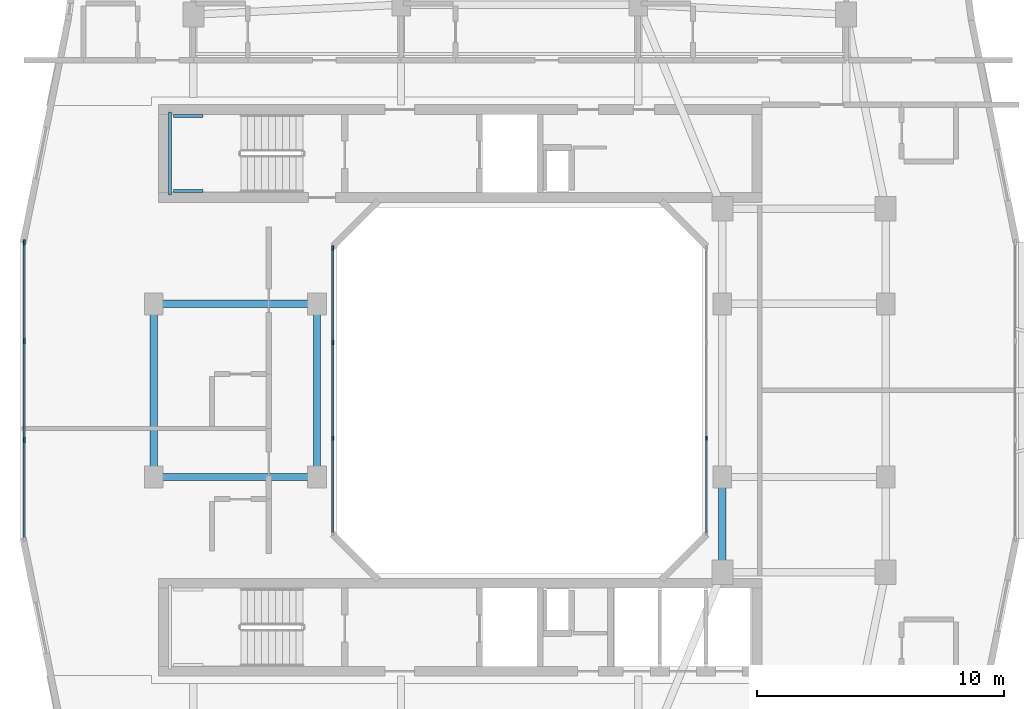
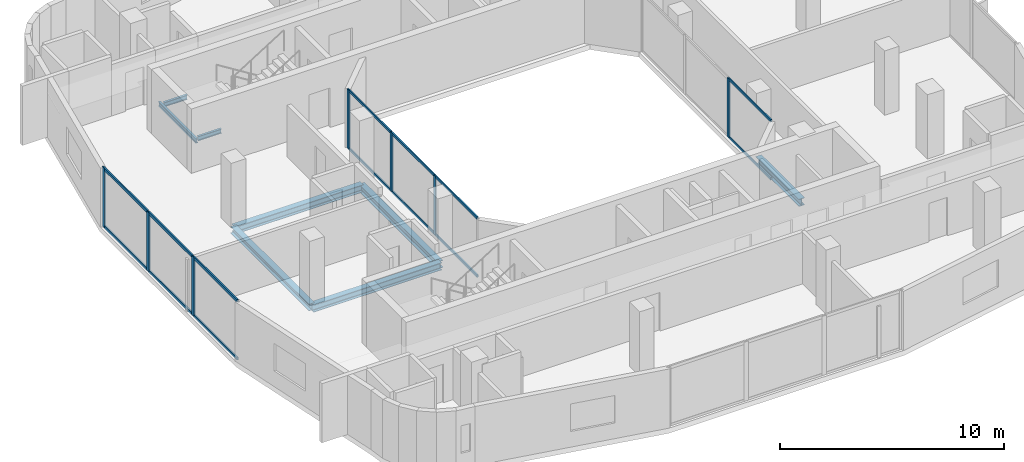
# One storey, part 3 of 14: 21 members, 8 beams, 3 elements without a shape of their own.
"""IFC4 building model written with IfcOpenShell, lengths in metres."""

from ifc_helpers import new_model, si_unit, derived_unit, direction, frame, origin, origin_2d, place, context, subcontext, project, spatial, rectangle, i_section, extrude, material, layer, layer_set, material_profile, profile_set, type_object, element, aggregate, save


model = new_model("IFC4")

# Units and contexts
model_context = context("Model", 3, precision=1e-05, world=origin(), true_north=direction((0.0, 1.0)))
body_context = subcontext(model_context, "Body", "Model", "MODEL_VIEW")
ifc_project = project(units=[si_unit("LENGTHUNIT", "METRE"), si_unit("AREAUNIT", "SQUARE_METRE"), si_unit("VOLUMEUNIT", "CUBIC_METRE"), si_unit("PLANEANGLEUNIT", "RADIAN"), si_unit("MASSUNIT", "GRAM", prefix="KILO"), derived_unit("THERMALTRANSMITTANCEUNIT", [(si_unit("POWERUNIT", "WATT"), 1), (si_unit("LENGTHUNIT", "METRE"), -2), (si_unit("THERMODYNAMICTEMPERATUREUNIT", "KELVIN"), -1)])], contexts=[model_context])

# Site, building, storey
site_placement = place(None, origin())
site = spatial("IfcSite", under=ifc_project, at=site_placement, CompositionType="ELEMENT")
building_placement = place(site_placement, origin())
building = spatial("IfcBuilding", under=site, at=building_placement, Name="Kivonza Crest Hotel", CompositionType="ELEMENT")
storey_placement = place(building_placement, frame((0.0, 0.0, 152.0)))
storey = spatial("IfcBuildingStorey", under=building, at=storey_placement, Name="L41", CompositionType="ELEMENT", Elevation=152.0)

# Beams
ifc_material_1 = material(Name="Steel S355", Category="steel")
ifc_material_profile_1 = material_profile(ifc_material_1, i_section(OverallWidth=0.300048828125, OverallDepth=0.360107421875, WebThickness=0.012451171875, FlangeThickness=0.0224609375, FilletRadius=0.027099609375, at=origin_2d()), Name="HEB 360")
ifc_profile_set_1 = profile_set([ifc_material_profile_1], Name="Steel S355")
beam_type_1 = type_object("IfcBeamType", Name="BM-HEB360", PredefinedType="SPANDREL", material=ifc_profile_set_1)
beam_1_placement = place(storey_placement, frame((6.199951171875, 28.5, -0.4599609375), z_axis=(0.0, -1.0, 0.0), x_axis=(1.0, 0.0, 0.0)))
element("IfcBeam", 1, at=beam_1_placement, inside=storey, type_object=beam_type_1, Name="Tower T1 L41 perimeter spandrel W2-W1", PredefinedType="SPANDREL", context=body_context, shape_type="SweptSolid", body=[
    extrude(i_section(OverallWidth=0.300048828125, OverallDepth=0.360107421875, WebThickness=0.012451171875, FlangeThickness=0.0224609375, FilletRadius=0.027099609375, at=origin_2d()), origin(), (0.0, 0.0, 1.0), 7.0),
])
ifc_material_profile_2 = material_profile(ifc_material_1, i_section(OverallWidth=0.300048828125, OverallDepth=0.39990234375, WebThickness=0.013427734375, FlangeThickness=0.02392578125, FilletRadius=0.027099609375, at=origin_2d()), Name="HEB 400")
ifc_profile_set_2 = profile_set([ifc_material_profile_2], Name="Steel S355")
beam_type_2 = type_object("IfcBeamType", Name="BM-HEB400", PredefinedType="BEAM", material=ifc_profile_set_2)
for number, where, z_axis, x_axis, name in (
    (2, (6.199951171875, 21.5, -0.47998046875), (1.0, 0.0, 0.0), (0.0, 1.0, 0.0), "Tower T1 L41 primary girder W1-WL1"),
    (3, (6.199951171875, 28.5, -0.47998046875), (1.0, 0.0, 0.0), (0.0, 1.0, 0.0), "Tower T1 L41 primary girder W2-WL2"),
):
    element("IfcBeam", number, at=place(storey_placement, frame(where, z_axis=z_axis, x_axis=x_axis)), inside=storey, type_object=beam_type_2, Name=name, PredefinedType="BEAM", context=body_context, shape_type="SweptSolid", body=[
        extrude(i_section(OverallWidth=0.300048828125, OverallDepth=0.39990234375, WebThickness=0.013427734375, FlangeThickness=0.02392578125, FilletRadius=0.027099609375, at=origin_2d()), origin(), (0.0, 0.0, 1.0), 6.60009765625),
    ])
beam_2_placement = place(storey_placement, frame((12.800048828125, 21.5, -0.47998046875), z_axis=(0.0, 1.0, 0.0), x_axis=(-1.0, 0.0, 0.0)))
element("IfcBeam", 4, at=beam_2_placement, inside=storey, type_object=beam_type_2, Name="Tower T1 L41 primary girder WL1-WL2", PredefinedType="BEAM", context=body_context, shape_type="SweptSolid", body=[
    extrude(i_section(OverallWidth=0.300048828125, OverallDepth=0.39990234375, WebThickness=0.013427734375, FlangeThickness=0.02392578125, FilletRadius=0.027099609375, at=origin_2d()), origin(), (0.0, 0.0, 1.0), 7.0),
])
beam_3_placement = place(storey_placement, frame((29.199951171875, 17.64990234375, -0.47998046875), z_axis=(0.0, 1.0, 0.0), x_axis=(-1.0, 0.0, 0.0)))
element("IfcBeam", 5, at=beam_3_placement, inside=storey, type_object=beam_type_2, Name="Tower T1 L41 primary girder TSE-WR1", PredefinedType="BEAM", context=body_context, shape_type="SweptSolid", body=[
    extrude(i_section(OverallWidth=0.300048828125, OverallDepth=0.39990234375, WebThickness=0.013427734375, FlangeThickness=0.02392578125, FilletRadius=0.027099609375, at=origin_2d()), origin(), (0.0, 0.0, 1.0), 3.85009765625),
])
ifc_material_profile_3 = material_profile(ifc_material_1, i_section(OverallWidth=0.1201171875, OverallDepth=0.239990234375, WebThickness=0.006103515625, FlangeThickness=0.009765625, FilletRadius=0.014892578125, at=origin_2d()), Name="IPE 240")
ifc_profile_set_3 = profile_set([ifc_material_profile_3], Name="Steel S355")
beam_type_3 = type_object("IfcBeamType", Name="BM-LLDG-240", PredefinedType="BEAM", material=ifc_profile_set_3)
beam_4_placement = place(storey_placement, frame((6.860107421875, 32.89990234375, 1.429931640625), z_axis=(0.0, 1.0, 0.0), x_axis=(-1.0, 0.0, 0.0)))
element("IfcBeam", 6, at=beam_4_placement, inside=storey, type_object=beam_type_3, Name="Stair ST-T1-N L41 West landing corbel", PredefinedType="BEAM", context=body_context, shape_type="SweptSolid", body=[
    extrude(i_section(OverallWidth=0.1201171875, OverallDepth=0.239990234375, WebThickness=0.006103515625, FlangeThickness=0.009765625, FilletRadius=0.014892578125, at=origin_2d()), origin(), (0.0, 0.0, 1.0), 3.360107421875),
])
for number, where, z_axis, x_axis, name in (
    (7, (6.989990234375, 33.06005859375, 1.429931640625), (1.0, 0.0, 0.0), (0.0, 1.0, 0.0), "Stair ST-T1-N L41 South landing corbel"),
    (8, (6.989990234375, 36.10009765625, 1.429931640625), (1.0, 0.0, 0.0), (0.0, 1.0, 0.0), "Stair ST-T1-N L41 North landing corbel"),
):
    element("IfcBeam", number, at=place(storey_placement, frame(where, z_axis=z_axis, x_axis=x_axis)), inside=storey, type_object=beam_type_3, Name=name, PredefinedType="BEAM", context=body_context, shape_type="SweptSolid", body=[
        extrude(i_section(OverallWidth=0.1201171875, OverallDepth=0.239990234375, WebThickness=0.006103515625, FlangeThickness=0.009765625, FilletRadius=0.014892578125, at=origin_2d()), origin(), (0.0, 0.0, 1.0), 1.2099609375),
    ])

# Curtain wall, member
ifc_material_2 = material(Name="Anodised bronze aluminium and low-E double glazing", Category="aluminium")
ifc_layer_1 = layer(ifc_material_2, 0.159912109375)
ifc_layer_set_1 = layer_set([ifc_layer_1], Name="Anodised bronze aluminium and low-E double glazing")
curtain_wall_type_1 = type_object("IfcCurtainWallType", Name="CW-SYS-5", PredefinedType="NOTDEFINED", material=ifc_layer_set_1)
curtain_wall_1_placement = place(storey_placement, origin())
curtain_wall_1 = element("IfcCurtainWall", 9, at=curtain_wall_1_placement, inside=storey, type_object=curtain_wall_type_1, Name="L41 unitised curtain wall CW-WELL-T1-L41-3", PredefinedType="NOTDEFINED")
ifc_material_3 = material(Name="Anodised bronze aluminium", Category="aluminium")
ifc_material_profile_4 = material_profile(ifc_material_3, rectangle(XDim=0.06494140625, YDim=0.179931640625, at=origin_2d()), Name="CW-M 65x180")
ifc_profile_set_4 = profile_set([ifc_material_profile_4], Name="Anodised bronze aluminium")
member_type_1 = type_object("IfcMemberType", Name="CW-MUL-65x180", PredefinedType="MULLION", material=ifc_profile_set_4)
member_1_placement = place(storey_placement, frame((28.56005859375, 23.066650390625, 0.0), z_axis=(0.0, 0.0, 1.0), x_axis=(-1.0, 0.0, 0.0)))
member_1 = element("IfcMember", 10, at=member_1_placement, type_object=member_type_1, Name="CW-5 mullion 2", PredefinedType="MULLION", context=body_context, shape_type="SweptSolid", body=[
    extrude(rectangle(XDim=0.06494140625, YDim=0.179931640625, at=origin_2d()), origin(), (0.0, 0.0, 1.0), 3.219970703125),
])

# Curtain wall, members
curtain_wall_2_placement = place(storey_placement, origin())
curtain_wall_2 = element("IfcCurtainWall", 11, at=curtain_wall_2_placement, inside=storey, type_object=curtain_wall_type_1, Name="L41 unitised curtain wall CW-WELL-T1-L41-7", PredefinedType="NOTDEFINED")
member_2_placement = place(storey_placement, frame((13.43994140625, 30.767578125, 0.0), z_axis=(0.0, 0.0, 1.0), x_axis=(1.0, 0.0, 0.0)))
member_2 = element("IfcMember", 12, at=member_2_placement, type_object=member_type_1, Name="CW-5 mullion 1", PredefinedType="MULLION", context=body_context, shape_type="SweptSolid", body=[
    extrude(rectangle(XDim=0.06494140625, YDim=0.179931640625, at=origin_2d()), origin(), (0.0, 0.0, 1.0), 3.219970703125),
])
member_3_placement = place(storey_placement, frame((13.43994140625, 26.933349609375, 0.0), z_axis=(0.0, 0.0, 1.0), x_axis=(1.0, 0.0, 0.0)))
member_3 = element("IfcMember", 13, at=member_3_placement, type_object=member_type_1, Name="CW-5 mullion 2", PredefinedType="MULLION", context=body_context, shape_type="SweptSolid", body=[
    extrude(rectangle(XDim=0.06494140625, YDim=0.179931640625, at=origin_2d()), origin(), (0.0, 0.0, 1.0), 3.219970703125),
])
member_4_placement = place(storey_placement, frame((13.43994140625, 23.066650390625, 0.0), z_axis=(0.0, 0.0, 1.0), x_axis=(1.0, 0.0, 0.0)))
member_4 = element("IfcMember", 14, at=member_4_placement, type_object=member_type_1, Name="CW-5 mullion 3", PredefinedType="MULLION", context=body_context, shape_type="SweptSolid", body=[
    extrude(rectangle(XDim=0.06494140625, YDim=0.179931640625, at=origin_2d()), origin(), (0.0, 0.0, 1.0), 3.219970703125),
])

ifc_layer_2 = layer(ifc_material_2, 0.179931640625)
ifc_layer_set_2 = layer_set([ifc_layer_2], Name="Anodised bronze aluminium and low-E double glazing")
curtain_wall_type_2 = type_object("IfcCurtainWallType", Name="CW-SYS-3", PredefinedType="NOTDEFINED", material=ifc_layer_set_2)
curtain_wall_3_placement = place(storey_placement, origin())
curtain_wall_3 = element("IfcCurtainWall", 15, at=curtain_wall_3_placement, inside=storey, type_object=curtain_wall_type_2, Name="L41 unitised curtain wall CW-T1-L41-35", PredefinedType="NOTDEFINED")
ifc_material_profile_5 = material_profile(ifc_material_3, rectangle(XDim=0.074951171875, YDim=0.219970703125, at=origin_2d()), Name="CW-M 75x220")
ifc_profile_set_5 = profile_set([ifc_material_profile_5], Name="Anodised bronze aluminium")
member_type_2 = type_object("IfcMemberType", Name="CW-MUL-75x220", PredefinedType="MULLION", material=ifc_profile_set_5)
member_5_placement = place(storey_placement, frame((0.9599609375, 30.982421875, 0.0), z_axis=(0.0, 0.0, 1.0), x_axis=(1.0, 0.0, 0.0)))
member_5 = element("IfcMember", 16, at=member_5_placement, type_object=member_type_2, Name="CW-3 mullion 1", PredefinedType="MULLION", context=body_context, shape_type="SweptSolid", body=[
    extrude(rectangle(XDim=0.074951171875, YDim=0.219970703125, at=origin_2d()), origin(), (0.0, 0.0, 1.0), 3.219970703125),
])
member_6_placement = place(storey_placement, frame((0.9599609375, 27.006591796875, 0.0), z_axis=(0.0, 0.0, 1.0), x_axis=(1.0, 0.0, 0.0)))
member_6 = element("IfcMember", 17, at=member_6_placement, type_object=member_type_2, Name="CW-3 mullion 2", PredefinedType="MULLION", context=body_context, shape_type="SweptSolid", body=[
    extrude(rectangle(XDim=0.074951171875, YDim=0.219970703125, at=origin_2d()), origin(), (0.0, 0.0, 1.0), 3.219970703125),
])
member_7_placement = place(storey_placement, frame((0.9599609375, 22.993408203125, 0.0), z_axis=(0.0, 0.0, 1.0), x_axis=(1.0, 0.0, 0.0)))
member_7 = element("IfcMember", 18, at=member_7_placement, type_object=member_type_2, Name="CW-3 mullion 3", PredefinedType="MULLION", context=body_context, shape_type="SweptSolid", body=[
    extrude(rectangle(XDim=0.074951171875, YDim=0.219970703125, at=origin_2d()), origin(), (0.0, 0.0, 1.0), 3.219970703125),
])

# Member
ifc_material_profile_6 = material_profile(ifc_material_3, rectangle(XDim=0.06494140625, YDim=0.139892578125, at=origin_2d()), Name="CW-T 65x140")
ifc_profile_set_6 = profile_set([ifc_material_profile_6], Name="Anodised bronze aluminium")
member_type_3 = type_object("IfcMemberType", Name="CW-TRN-65x140", PredefinedType="USERDEFINED", material=ifc_profile_set_6)
member_8_placement = place(storey_placement, frame((28.56005859375, 19.264892578125, 0.032470703125), z_axis=(0.0, 1.0, 0.0), x_axis=(-1.0, 0.0, 0.0)))
member_8 = element("IfcMember", 19, at=member_8_placement, type_object=member_type_3, Name="CW-5 transom 1.1", ObjectType="TRANSOM", PredefinedType="USERDEFINED", context=body_context, shape_type="SweptSolid", body=[
    extrude(rectangle(XDim=0.06494140625, YDim=0.139892578125, at=origin_2d()), origin(), (0.0, 0.0, 1.0), 3.769287109375),
])

member_9_placement = place(storey_placement, frame((28.56005859375, 19.264892578125, 3.1875), z_axis=(0.0, 1.0, 0.0), x_axis=(-1.0, 0.0, 0.0)))
member_9 = element("IfcMember", 20, at=member_9_placement, type_object=member_type_3, Name="CW-5 transom 1.2", ObjectType="TRANSOM", PredefinedType="USERDEFINED", context=body_context, shape_type="SweptSolid", body=[
    extrude(rectangle(XDim=0.06494140625, YDim=0.139892578125, at=origin_2d()), origin(), (0.0, 0.0, 1.0), 3.769287109375),
])

aggregate(curtain_wall_1, [member_1, member_8, member_9])

member_10_placement = place(storey_placement, frame((13.43994140625, 30.735107421875, 0.032470703125), z_axis=(0.0, -1.0, 0.0), x_axis=(1.0, 0.0, 0.0)))
member_10 = element("IfcMember", 21, at=member_10_placement, type_object=member_type_3, Name="CW-5 transom 1.1", ObjectType="TRANSOM", PredefinedType="USERDEFINED", context=body_context, shape_type="SweptSolid", body=[
    extrude(rectangle(XDim=0.06494140625, YDim=0.139892578125, at=origin_2d()), origin(), (0.0, 0.0, 1.0), 3.769287109375),
])

member_11_placement = place(storey_placement, frame((13.43994140625, 30.735107421875, 3.1875), z_axis=(0.0, -1.0, 0.0), x_axis=(1.0, 0.0, 0.0)))
member_11 = element("IfcMember", 22, at=member_11_placement, type_object=member_type_3, Name="CW-5 transom 1.2", ObjectType="TRANSOM", PredefinedType="USERDEFINED", context=body_context, shape_type="SweptSolid", body=[
    extrude(rectangle(XDim=0.06494140625, YDim=0.139892578125, at=origin_2d()), origin(), (0.0, 0.0, 1.0), 3.769287109375),
])

member_12_placement = place(storey_placement, frame((13.43994140625, 26.90087890625, 0.032470703125), z_axis=(0.0, -1.0, 0.0), x_axis=(1.0, 0.0, 0.0)))
member_12 = element("IfcMember", 23, at=member_12_placement, type_object=member_type_3, Name="CW-5 transom 2.1", ObjectType="TRANSOM", PredefinedType="USERDEFINED", context=body_context, shape_type="SweptSolid", body=[
    extrude(rectangle(XDim=0.06494140625, YDim=0.139892578125, at=origin_2d()), origin(), (0.0, 0.0, 1.0), 3.8017578125),
])

member_13_placement = place(storey_placement, frame((13.43994140625, 26.90087890625, 3.1875), z_axis=(0.0, -1.0, 0.0), x_axis=(1.0, 0.0, 0.0)))
member_13 = element("IfcMember", 24, at=member_13_placement, type_object=member_type_3, Name="CW-5 transom 2.2", ObjectType="TRANSOM", PredefinedType="USERDEFINED", context=body_context, shape_type="SweptSolid", body=[
    extrude(rectangle(XDim=0.06494140625, YDim=0.139892578125, at=origin_2d()), origin(), (0.0, 0.0, 1.0), 3.8017578125),
])

member_14_placement = place(storey_placement, frame((13.43994140625, 23.0341796875, 0.032470703125), z_axis=(0.0, -1.0, 0.0), x_axis=(1.0, 0.0, 0.0)))
member_14 = element("IfcMember", 25, at=member_14_placement, type_object=member_type_3, Name="CW-5 transom 3.1", ObjectType="TRANSOM", PredefinedType="USERDEFINED", context=body_context, shape_type="SweptSolid", body=[
    extrude(rectangle(XDim=0.06494140625, YDim=0.139892578125, at=origin_2d()), origin(), (0.0, 0.0, 1.0), 3.769287109375),
])

member_15_placement = place(storey_placement, frame((13.43994140625, 23.0341796875, 3.1875), z_axis=(0.0, -1.0, 0.0), x_axis=(1.0, 0.0, 0.0)))
member_15 = element("IfcMember", 26, at=member_15_placement, type_object=member_type_3, Name="CW-5 transom 3.2", ObjectType="TRANSOM", PredefinedType="USERDEFINED", context=body_context, shape_type="SweptSolid", body=[
    extrude(rectangle(XDim=0.06494140625, YDim=0.139892578125, at=origin_2d()), origin(), (0.0, 0.0, 1.0), 3.769287109375),
])

aggregate(curtain_wall_2, [member_2, member_3, member_4, member_10, member_11, member_12, member_13, member_14, member_15])

ifc_material_profile_7 = material_profile(ifc_material_3, rectangle(XDim=0.074951171875, YDim=0.159912109375, at=origin_2d()), Name="CW-T 75x160")
ifc_profile_set_7 = profile_set([ifc_material_profile_7], Name="Anodised bronze aluminium")
member_type_4 = type_object("IfcMemberType", Name="CW-TRN-75x160", PredefinedType="USERDEFINED", material=ifc_profile_set_7)
member_16_placement = place(storey_placement, frame((0.9599609375, 30.945068359375, 0.03759765625), z_axis=(0.0, -1.0, 0.0), x_axis=(1.0, 0.0, 0.0)))
member_16 = element("IfcMember", 27, at=member_16_placement, type_object=member_type_4, Name="CW-3 transom 1.1", ObjectType="TRANSOM", PredefinedType="USERDEFINED", context=body_context, shape_type="SweptSolid", body=[
    extrude(rectangle(XDim=0.074951171875, YDim=0.159912109375, at=origin_2d()), origin(), (0.0, 0.0, 1.0), 3.90087890625),
])

member_17_placement = place(storey_placement, frame((0.9599609375, 30.945068359375, 3.1826171875), z_axis=(0.0, -1.0, 0.0), x_axis=(1.0, 0.0, 0.0)))
member_17 = element("IfcMember", 28, at=member_17_placement, type_object=member_type_4, Name="CW-3 transom 1.2", ObjectType="TRANSOM", PredefinedType="USERDEFINED", context=body_context, shape_type="SweptSolid", body=[
    extrude(rectangle(XDim=0.074951171875, YDim=0.159912109375, at=origin_2d()), origin(), (0.0, 0.0, 1.0), 3.90087890625),
])

member_18_placement = place(storey_placement, frame((0.9599609375, 26.96923828125, 0.03759765625), z_axis=(0.0, -1.0, 0.0), x_axis=(1.0, 0.0, 0.0)))
member_18 = element("IfcMember", 29, at=member_18_placement, type_object=member_type_4, Name="CW-3 transom 2.1", ObjectType="TRANSOM", PredefinedType="USERDEFINED", context=body_context, shape_type="SweptSolid", body=[
    extrude(rectangle(XDim=0.074951171875, YDim=0.159912109375, at=origin_2d()), origin(), (0.0, 0.0, 1.0), 3.9384765625),
])

member_19_placement = place(storey_placement, frame((0.9599609375, 26.96923828125, 3.1826171875), z_axis=(0.0, -1.0, 0.0), x_axis=(1.0, 0.0, 0.0)))
member_19 = element("IfcMember", 30, at=member_19_placement, type_object=member_type_4, Name="CW-3 transom 2.2", ObjectType="TRANSOM", PredefinedType="USERDEFINED", context=body_context, shape_type="SweptSolid", body=[
    extrude(rectangle(XDim=0.074951171875, YDim=0.159912109375, at=origin_2d()), origin(), (0.0, 0.0, 1.0), 3.9384765625),
])

member_20_placement = place(storey_placement, frame((0.9599609375, 22.955810546875, 0.03759765625), z_axis=(0.0, -1.0, 0.0), x_axis=(1.0, 0.0, 0.0)))
member_20 = element("IfcMember", 31, at=member_20_placement, type_object=member_type_4, Name="CW-3 transom 3.1", ObjectType="TRANSOM", PredefinedType="USERDEFINED", context=body_context, shape_type="SweptSolid", body=[
    extrude(rectangle(XDim=0.074951171875, YDim=0.159912109375, at=origin_2d()), origin(), (0.0, 0.0, 1.0), 3.90087890625),
])

member_21_placement = place(storey_placement, frame((0.9599609375, 22.955810546875, 3.1826171875), z_axis=(0.0, -1.0, 0.0), x_axis=(1.0, 0.0, 0.0)))
member_21 = element("IfcMember", 32, at=member_21_placement, type_object=member_type_4, Name="CW-3 transom 3.2", ObjectType="TRANSOM", PredefinedType="USERDEFINED", context=body_context, shape_type="SweptSolid", body=[
    extrude(rectangle(XDim=0.074951171875, YDim=0.159912109375, at=origin_2d()), origin(), (0.0, 0.0, 1.0), 3.90087890625),
])

aggregate(curtain_wall_3, [member_5, member_6, member_7, member_16, member_17, member_18, member_19, member_20, member_21])

save(model, "model.ifc")
